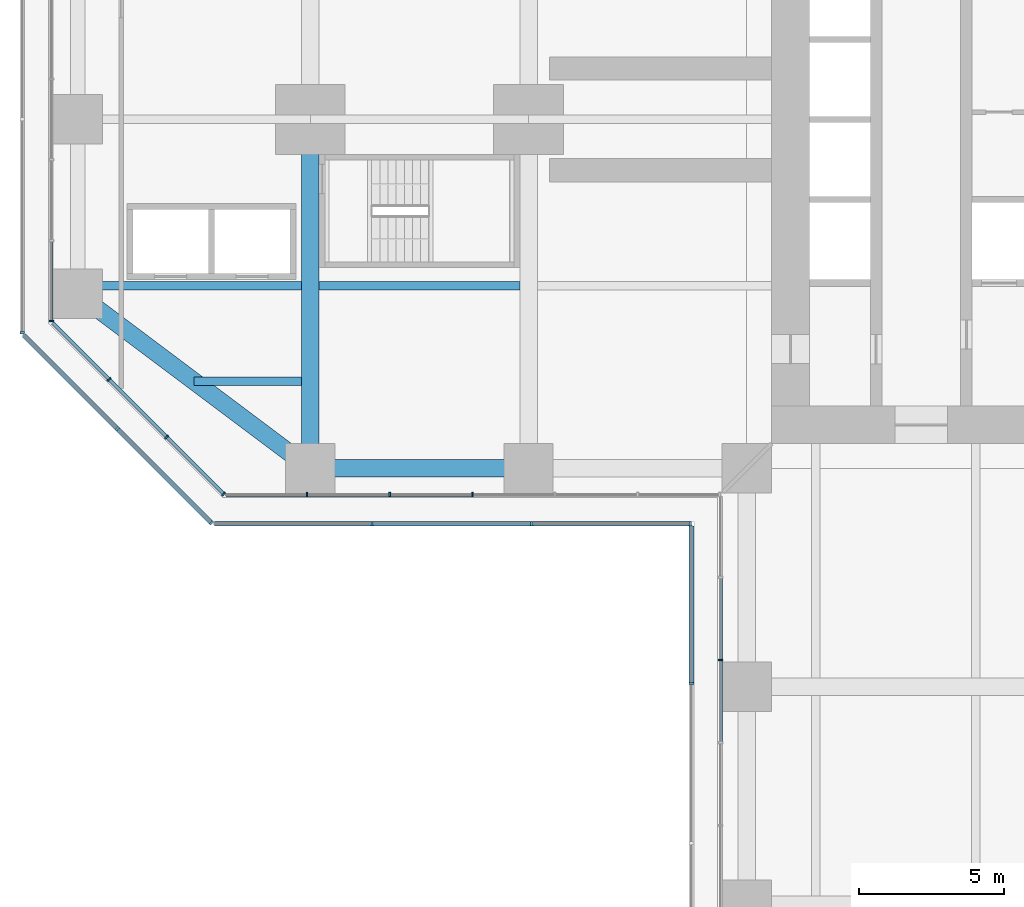
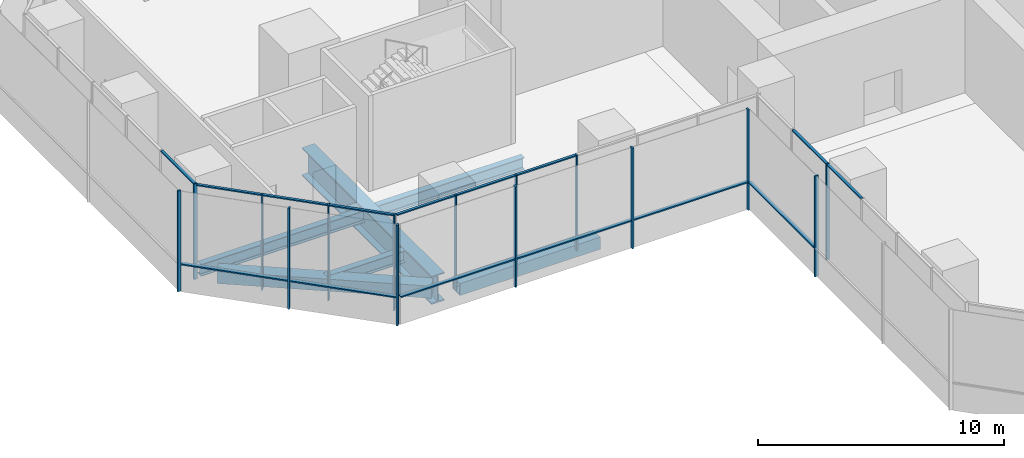
# One storey, part 3 of 23: 30 members, 6 beams, 8 elements without a shape of their own.
"""IFC4 building model written with IfcOpenShell, lengths in metres."""

from ifc_helpers import new_model, si_unit, direction, frame, origin, origin_2d, place, context, subcontext, project, spatial, rectangle, hollow_rectangle, i_section, extrude, material, material_profile, profile_set, type_object, element, aggregate, save


model = new_model("IFC4")

# Units and contexts
model_context = context("Model", 3, precision=1e-05, world=origin(), true_north=direction((0.0, 1.0)))
body_context = subcontext(model_context, "Body", "Model", "MODEL_VIEW")
ifc_project = project(units=[si_unit("LENGTHUNIT", "METRE"), si_unit("AREAUNIT", "SQUARE_METRE"), si_unit("VOLUMEUNIT", "CUBIC_METRE"), si_unit("PLANEANGLEUNIT", "RADIAN"), si_unit("MASSUNIT", "GRAM", prefix="KILO")], contexts=[model_context])

# Site, building, storey
site_placement = place(None, origin())
site = spatial("IfcSite", under=ifc_project, at=site_placement, CompositionType="ELEMENT")
building_placement = place(site_placement, origin())
building = spatial("IfcBuilding", under=site, at=building_placement, Name="Mizan Broadcast Tower", CompositionType="ELEMENT")
storey_placement = place(building_placement, frame((0.0, 0.0, 23.0)))
storey = spatial("IfcBuildingStorey", under=building, at=storey_placement, Name="L03", CompositionType="ELEMENT", Elevation=23.0)

# Beams
ifc_material_1 = material(Name="Steel S355", Category="steel")
ifc_material_profile_1 = material_profile(ifc_material_1, hollow_rectangle(XDim=0.60009765625, YDim=0.60009765625, WallThickness=0.030029296875, at=origin_2d()), Name="BOX 600x600x30")
ifc_profile_set_1 = profile_set([ifc_material_profile_1], Name="Steel S355")
beam_type_1 = type_object("IfcBeamType", Name="EDGE BEAM BOX 600x600x30", PredefinedType="SPANDREL", material=ifc_profile_set_1)
beam_1_placement = place(storey_placement, frame((-27.47998046875, -11.639892578125, -0.550048828125), z_axis=(-0.800013316712, 0.599982243973, 0.0), x_axis=(-0.599982243973, -0.800013316712, 0.0)))
element("IfcBeam", 1, at=beam_1_placement, inside=storey, type_object=beam_type_1, Name="Edge beam BOX 600x600x30 L03 west arm", PredefinedType="SPANDREL", context=body_context, shape_type="SweptSolid", body=[
    extrude(hollow_rectangle(XDim=0.60009765625, YDim=0.60009765625, WallThickness=0.030029296875, at=origin_2d()), origin(), (0.0, 0.0, 1.0), 8.7998046875),
])
ifc_material_2 = material(Name="Steel S355", Category="steel")
ifc_material_profile_2 = material_profile(ifc_material_2, hollow_rectangle(XDim=0.60009765625, YDim=0.60009765625, WallThickness=0.0400390625, at=origin_2d()), Name="BOX 600x600x40")
ifc_profile_set_2 = profile_set([ifc_material_profile_2], Name="Steel S355")
beam_type_2 = type_object("IfcBeamType", Name="EDGE BEAM BOX 600x600x40", PredefinedType="SPANDREL", material=ifc_profile_set_2)
beam_2_placement = place(storey_placement, frame((-19.949951171875, -12.0, -0.550048828125), z_axis=(-1.0, 0.0, 0.0), x_axis=(0.0, -1.0, 0.0)))
element("IfcBeam", 2, at=beam_2_placement, inside=storey, type_object=beam_type_2, Name="Edge beam BOX 600x600x40 L03 west arm", PredefinedType="SPANDREL", context=body_context, shape_type="SweptSolid", body=[
    extrude(hollow_rectangle(XDim=0.60009765625, YDim=0.60009765625, WallThickness=0.0400390625, at=origin_2d()), origin(), (0.0, 0.0, 1.0), 6.60009765625),
])
ifc_material_3 = material(Name="Steel S460", Category="steel")
ifc_material_profile_3 = material_profile(ifc_material_3, i_section(OverallWidth=0.60009765625, OverallDepth=1.39990234375, WebThickness=0.02490234375, FlangeThickness=0.06005859375, at=origin_2d()), Name="WPG 1400x600")
ifc_profile_set_3 = profile_set([ifc_material_profile_3], Name="Steel S460")
beam_type_3 = type_object("IfcBeamType", Name="GIRDER WPG 1400x600", PredefinedType="BEAM", material=ifc_profile_set_3)
beam_3_placement = place(storey_placement, frame((-27.0, -0.719970703125, -0.949951171875), z_axis=(0.0, -1.0, 0.0), x_axis=(1.0, 0.0, 0.0)))
element("IfcBeam", 3, at=beam_3_placement, inside=storey, type_object=beam_type_3, Name="Girder WPG 1400x600 L03 west arm", PredefinedType="BEAM", context=body_context, shape_type="SweptSolid", body=[
    extrude(i_section(OverallWidth=0.60009765625, OverallDepth=1.39990234375, WebThickness=0.02490234375, FlangeThickness=0.06005859375, at=origin_2d()), origin(), (0.0, 0.0, 1.0), 10.56005859375),
])

# Curtain wall, member
ifc_material_4 = material(Name="Aluminium framed glazing", Category="aluminium")
curtain_wall_type_1 = type_object("IfcCurtainWallType", Name="PODIUM CURTAIN WALL", PredefinedType="USERDEFINED", material=ifc_material_4)
curtain_wall_1_placement = place(storey_placement, origin())
curtain_wall_1 = element("IfcCurtainWall", 4, at=curtain_wall_1_placement, inside=storey, type_object=curtain_wall_type_1, Name="Podium curtain wall L03 W end", ObjectType="PODIUM CURTAIN WALL", PredefinedType="USERDEFINED")
ifc_material_5 = material(Name="Aluminium, pale anodised", Category="aluminium")
ifc_material_profile_4 = material_profile(ifc_material_5, rectangle(XDim=0.159912109375, YDim=0.06005859375, at=origin_2d()), Name="MULLION 160x60")
ifc_profile_set_4 = profile_set([ifc_material_profile_4], Name="Aluminium, pale anodised")
member_type_1 = type_object("IfcMemberType", Name="INNER SKIN MULLION 60x160", PredefinedType="MULLION", material=ifc_profile_set_4)
member_1_placement = place(storey_placement, frame((-35.89990234375, -6.928466796875, 0.0), z_axis=(0.0, 0.0, 1.0), x_axis=(1.0, 0.0, 0.0)))
member_1 = element("IfcMember", 5, at=member_1_placement, type_object=member_type_1, Name="Podium curtain wall L03 W end mullion 6", PredefinedType="MULLION", context=body_context, shape_type="SweptSolid", body=[
    extrude(rectangle(XDim=0.159912109375, YDim=0.06005859375, at=origin_2d()), origin(), (0.0, 0.0, 1.0), 4.75),
])

# Curtain wall, members
curtain_wall_2_placement = place(storey_placement, origin())
curtain_wall_2 = element("IfcCurtainWall", 6, at=curtain_wall_2_placement, inside=storey, type_object=curtain_wall_type_1, Name="Podium curtain wall L03 W chamfer", ObjectType="PODIUM CURTAIN WALL", PredefinedType="USERDEFINED")
member_2_placement = place(storey_placement, frame((-33.91943359375, -8.93896484375, 0.0), z_axis=(0.0, 0.0, 1.0), x_axis=(0.707106781187, 0.707106781187, 0.0)))
member_2 = element("IfcMember", 7, at=member_2_placement, type_object=member_type_1, Name="Podium curtain wall L03 W chamfer mullion 2", PredefinedType="MULLION", context=body_context, shape_type="SweptSolid", body=[
    extrude(rectangle(XDim=0.159912109375, YDim=0.06005859375, at=origin_2d()), origin(), (0.0, 0.0, 1.0), 4.75),
])
member_3_placement = place(storey_placement, frame((-31.93896484375, -10.91943359375, 0.0), z_axis=(0.0, 0.0, 1.0), x_axis=(0.707106781187, 0.707106781187, 0.0)))
member_3 = element("IfcMember", 8, at=member_3_placement, type_object=member_type_1, Name="Podium curtain wall L03 W chamfer mullion 3", PredefinedType="MULLION", context=body_context, shape_type="SweptSolid", body=[
    extrude(rectangle(XDim=0.159912109375, YDim=0.06005859375, at=origin_2d()), origin(), (0.0, 0.0, 1.0), 4.75),
])
member_4_placement = place(storey_placement, frame((-29.979736328125, -12.87890625, 0.0), z_axis=(0.0, 0.0, 1.0), x_axis=(0.707106781187, 0.707106781187, 0.0)))
member_4 = element("IfcMember", 9, at=member_4_placement, type_object=member_type_1, Name="Podium curtain wall L03 W chamfer mullion 4", PredefinedType="MULLION", context=body_context, shape_type="SweptSolid", body=[
    extrude(rectangle(XDim=0.159912109375, YDim=0.06005859375, at=origin_2d()), origin(), (0.0, 0.0, 1.0), 4.75),
])

curtain_wall_3_placement = place(storey_placement, origin())
curtain_wall_3 = element("IfcCurtainWall", 10, at=curtain_wall_3_placement, inside=storey, type_object=curtain_wall_type_1, Name="Podium curtain wall L03 W side", ObjectType="PODIUM CURTAIN WALL", PredefinedType="USERDEFINED")
member_5_placement = place(storey_placement, frame((-27.115478515625, -12.89990234375, 0.0), z_axis=(0.0, 0.0, 1.0), x_axis=(0.0, 1.0, 0.0)))
member_5 = element("IfcMember", 11, at=member_5_placement, type_object=member_type_1, Name="Podium curtain wall L03 W side mullion 2", PredefinedType="MULLION", context=body_context, shape_type="SweptSolid", body=[
    extrude(rectangle(XDim=0.159912109375, YDim=0.06005859375, at=origin_2d()), origin(), (0.0, 0.0, 1.0), 4.75),
])
member_6_placement = place(storey_placement, frame((-24.2724609375, -12.89990234375, 0.0), z_axis=(0.0, 0.0, 1.0), x_axis=(0.0, 1.0, 0.0)))
member_6 = element("IfcMember", 12, at=member_6_placement, type_object=member_type_1, Name="Podium curtain wall L03 W side mullion 3", PredefinedType="MULLION", context=body_context, shape_type="SweptSolid", body=[
    extrude(rectangle(XDim=0.159912109375, YDim=0.06005859375, at=origin_2d()), origin(), (0.0, 0.0, 1.0), 4.75),
])
member_7_placement = place(storey_placement, frame((-21.42919921875, -12.89990234375, 0.0), z_axis=(0.0, 0.0, 1.0), x_axis=(0.0, 1.0, 0.0)))
member_7 = element("IfcMember", 13, at=member_7_placement, type_object=member_type_1, Name="Podium curtain wall L03 W side mullion 4", PredefinedType="MULLION", context=body_context, shape_type="SweptSolid", body=[
    extrude(rectangle(XDim=0.159912109375, YDim=0.06005859375, at=origin_2d()), origin(), (0.0, 0.0, 1.0), 4.75),
])

# Curtain wall, member
curtain_wall_4_placement = place(storey_placement, origin())
curtain_wall_4 = element("IfcCurtainWall", 14, at=curtain_wall_4_placement, inside=storey, type_object=curtain_wall_type_1, Name="Podium curtain wall L03 S side", ObjectType="PODIUM CURTAIN WALL", PredefinedType="USERDEFINED")
member_8_placement = place(storey_placement, frame((-12.89990234375, -18.586181640625, 0.0), z_axis=(0.0, 0.0, 1.0), x_axis=(1.0, 0.0, 0.0)))
member_8 = element("IfcMember", 15, at=member_8_placement, type_object=member_type_1, Name="Podium curtain wall L03 S side mullion 3", PredefinedType="MULLION", context=body_context, shape_type="SweptSolid", body=[
    extrude(rectangle(XDim=0.159912109375, YDim=0.06005859375, at=origin_2d()), origin(), (0.0, 0.0, 1.0), 4.75),
])

# Member
ifc_material_6 = material(Name="Aluminium, pale anodised", Category="aluminium")
ifc_material_profile_5 = material_profile(ifc_material_6, rectangle(XDim=0.1201171875, YDim=0.06005859375, at=origin_2d()), Name="TRANSOM 120x60")
ifc_profile_set_5 = profile_set([ifc_material_profile_5], Name="Aluminium, pale anodised")
member_type_2 = type_object("IfcMemberType", Name="INNER SKIN TRANSOM 60x120", PredefinedType="USERDEFINED", material=ifc_profile_set_5)
member_9_placement = place(storey_placement, frame((-35.89990234375, -4.205078125, 4.719970703125), z_axis=(0.0, -1.0, 0.0), x_axis=(1.0, 0.0, 0.0)))
member_9 = element("IfcMember", 16, at=member_9_placement, type_object=member_type_2, Name="Podium curtain wall L03 W end transom 5.1", ObjectType="TRANSOM", PredefinedType="USERDEFINED", context=body_context, shape_type="SweptSolid", body=[
    extrude(rectangle(XDim=0.1201171875, YDim=0.06005859375, at=origin_2d()), origin(), (0.0, 0.0, 1.0), 2.693603515625),
])

aggregate(curtain_wall_1, [member_1, member_9])

member_10_placement = place(storey_placement, frame((-35.857666015625, -7.0009765625, 4.719970703125), z_axis=(0.707151809797, -0.707061749709, 0.0), x_axis=(0.707061749709, 0.707151809797, 0.0)))
member_10 = element("IfcMember", 17, at=member_10_placement, type_object=member_type_2, Name="Podium curtain wall L03 W chamfer transom 1.1", ObjectType="TRANSOM", PredefinedType="USERDEFINED", context=body_context, shape_type="SweptSolid", body=[
    extrude(rectangle(XDim=0.1201171875, YDim=0.06005859375, at=origin_2d()), origin(), (0.0, 0.0, 1.0), 2.7109375),
])

member_11_placement = place(storey_placement, frame((-33.898193359375, -8.960205078125, 4.719970703125), z_axis=(0.707106781187, -0.707106781187, 0.0), x_axis=(0.707106781187, 0.707106781187, 0.0)))
member_11 = element("IfcMember", 18, at=member_11_placement, type_object=member_type_2, Name="Podium curtain wall L03 W chamfer transom 2.1", ObjectType="TRANSOM", PredefinedType="USERDEFINED", context=body_context, shape_type="SweptSolid", body=[
    extrude(rectangle(XDim=0.1201171875, YDim=0.06005859375, at=origin_2d()), origin(), (0.0, 0.0, 1.0), 2.74072265625),
])

member_12_placement = place(storey_placement, frame((-31.917724609375, -10.940673828125, 4.719970703125), z_axis=(0.707061749709, -0.707151809797, 0.0), x_axis=(0.707151809797, 0.707061749709, 0.0)))
member_12 = element("IfcMember", 19, at=member_12_placement, type_object=member_type_2, Name="Podium curtain wall L03 W chamfer transom 3.1", ObjectType="TRANSOM", PredefinedType="USERDEFINED", context=body_context, shape_type="SweptSolid", body=[
    extrude(rectangle(XDim=0.1201171875, YDim=0.06005859375, at=origin_2d()), origin(), (0.0, 0.0, 1.0), 2.7109375),
])

aggregate(curtain_wall_2, [member_2, member_3, member_4, member_10, member_11, member_12])

member_13_placement = place(storey_placement, frame((-29.898681640625, -12.89990234375, 4.719970703125), z_axis=(1.0, 0.0, 0.0), x_axis=(0.0, 1.0, 0.0)))
member_13 = element("IfcMember", 20, at=member_13_placement, type_object=member_type_2, Name="Podium curtain wall L03 W side transom 1.1", ObjectType="TRANSOM", PredefinedType="USERDEFINED", context=body_context, shape_type="SweptSolid", body=[
    extrude(rectangle(XDim=0.1201171875, YDim=0.06005859375, at=origin_2d()), origin(), (0.0, 0.0, 1.0), 2.753173828125),
])

member_14_placement = place(storey_placement, frame((-27.08544921875, -12.89990234375, 4.719970703125), z_axis=(1.0, 0.0, 0.0), x_axis=(0.0, 1.0, 0.0)))
member_14 = element("IfcMember", 21, at=member_14_placement, type_object=member_type_2, Name="Podium curtain wall L03 W side transom 2.1", ObjectType="TRANSOM", PredefinedType="USERDEFINED", context=body_context, shape_type="SweptSolid", body=[
    extrude(rectangle(XDim=0.1201171875, YDim=0.06005859375, at=origin_2d()), origin(), (0.0, 0.0, 1.0), 2.782958984375),
])

member_15_placement = place(storey_placement, frame((-24.242431640625, -12.89990234375, 4.719970703125), z_axis=(1.0, 0.0, 0.0), x_axis=(0.0, 1.0, 0.0)))
member_15 = element("IfcMember", 22, at=member_15_placement, type_object=member_type_2, Name="Podium curtain wall L03 W side transom 3.1", ObjectType="TRANSOM", PredefinedType="USERDEFINED", context=body_context, shape_type="SweptSolid", body=[
    extrude(rectangle(XDim=0.1201171875, YDim=0.06005859375, at=origin_2d()), origin(), (0.0, 0.0, 1.0), 2.783203125),
])

aggregate(curtain_wall_3, [member_5, member_6, member_7, member_13, member_14, member_15])

member_16_placement = place(storey_placement, frame((-12.89990234375, -15.773193359375, 4.719970703125), z_axis=(0.0, -1.0, 0.0), x_axis=(1.0, 0.0, 0.0)))
member_16 = element("IfcMember", 23, at=member_16_placement, type_object=member_type_2, Name="Podium curtain wall L03 S side transom 2.1", ObjectType="TRANSOM", PredefinedType="USERDEFINED", context=body_context, shape_type="SweptSolid", body=[
    extrude(rectangle(XDim=0.1201171875, YDim=0.06005859375, at=origin_2d()), origin(), (0.0, 0.0, 1.0), 2.782958984375),
])

member_17_placement = place(storey_placement, frame((-12.89990234375, -18.6162109375, 4.719970703125), z_axis=(0.0, -1.0, 0.0), x_axis=(1.0, 0.0, 0.0)))
member_17 = element("IfcMember", 24, at=member_17_placement, type_object=member_type_2, Name="Podium curtain wall L03 S side transom 3.1", ObjectType="TRANSOM", PredefinedType="USERDEFINED", context=body_context, shape_type="SweptSolid", body=[
    extrude(rectangle(XDim=0.1201171875, YDim=0.06005859375, at=origin_2d()), origin(), (0.0, 0.0, 1.0), 2.782958984375),
])

aggregate(curtain_wall_4, [member_8, member_16, member_17])

# Curtain wall, member
ifc_material_7 = material(Name="Aluminium framed glazing", Category="aluminium")
curtain_wall_type_2 = type_object("IfcCurtainWallType", Name="OUTER SKIN", PredefinedType="USERDEFINED", material=ifc_material_7)
curtain_wall_5_placement = place(storey_placement, origin())
curtain_wall_5 = element("IfcCurtainWall", 25, at=curtain_wall_5_placement, inside=storey, type_object=curtain_wall_type_2, Name="Outer skin L03 W end", ObjectType="OUTER SKIN", PredefinedType="USERDEFINED")
ifc_material_8 = material(Name="Aluminium, pale anodised", Category="aluminium")
ifc_material_profile_6 = material_profile(ifc_material_8, rectangle(XDim=0.159912109375, YDim=0.080078125, at=origin_2d()), Name="MULLION 160x80")
ifc_profile_set_6 = profile_set([ifc_material_profile_6], Name="Aluminium, pale anodised")
member_type_3 = type_object("IfcMemberType", Name="OUTER SKIN MULLION 80x160", PredefinedType="MULLION", material=ifc_profile_set_6)
member_18_placement = place(storey_placement, frame((-36.89990234375, -7.332763671875, 0.0), z_axis=(0.0, 0.0, 1.0), x_axis=(1.0, 0.0, 0.0)))
member_18 = element("IfcMember", 26, at=member_18_placement, type_object=member_type_3, Name="Outer skin L03 W end mullion 3", PredefinedType="MULLION", context=body_context, shape_type="SweptSolid", body=[
    extrude(rectangle(XDim=0.159912109375, YDim=0.080078125, at=origin_2d()), origin(), (0.0, 0.0, 1.0), 5.0),
])
aggregate(curtain_wall_5, [member_18])

# Curtain wall, members
curtain_wall_6_placement = place(storey_placement, origin())
curtain_wall_6 = element("IfcCurtainWall", 27, at=curtain_wall_6_placement, inside=storey, type_object=curtain_wall_type_2, Name="Outer skin L03 W chamfer", ObjectType="OUTER SKIN", PredefinedType="USERDEFINED")
member_19_placement = place(storey_placement, frame((-33.636474609375, -10.636474609375, 0.0), z_axis=(0.0, 0.0, 1.0), x_axis=(0.707106781187, 0.707106781187, 0.0)))
member_19 = element("IfcMember", 28, at=member_19_placement, type_object=member_type_3, Name="Outer skin L03 W chamfer mullion 2", PredefinedType="MULLION", context=body_context, shape_type="SweptSolid", body=[
    extrude(rectangle(XDim=0.159912109375, YDim=0.080078125, at=origin_2d()), origin(), (0.0, 0.0, 1.0), 5.0),
])
member_20_placement = place(storey_placement, frame((-30.401123046875, -13.871826171875, 0.0), z_axis=(0.0, 0.0, 1.0), x_axis=(0.707106781187, 0.707106781187, 0.0)))
member_20 = element("IfcMember", 29, at=member_20_placement, type_object=member_type_3, Name="Outer skin L03 W chamfer mullion 3", PredefinedType="MULLION", context=body_context, shape_type="SweptSolid", body=[
    extrude(rectangle(XDim=0.159912109375, YDim=0.080078125, at=origin_2d()), origin(), (0.0, 0.0, 1.0), 5.0),
])

curtain_wall_7_placement = place(storey_placement, origin())
curtain_wall_7 = element("IfcCurtainWall", 30, at=curtain_wall_7_placement, inside=storey, type_object=curtain_wall_type_2, Name="Outer skin L03 W side", ObjectType="OUTER SKIN", PredefinedType="USERDEFINED")
member_21_placement = place(storey_placement, frame((-24.8818359375, -13.89990234375, 0.0), z_axis=(0.0, 0.0, 1.0), x_axis=(0.0, 1.0, 0.0)))
member_21 = element("IfcMember", 31, at=member_21_placement, type_object=member_type_3, Name="Outer skin L03 W side mullion 2", PredefinedType="MULLION", context=body_context, shape_type="SweptSolid", body=[
    extrude(rectangle(XDim=0.159912109375, YDim=0.080078125, at=origin_2d()), origin(), (0.0, 0.0, 1.0), 5.0),
])
member_22_placement = place(storey_placement, frame((-19.390869140625, -13.89990234375, 0.0), z_axis=(0.0, 0.0, 1.0), x_axis=(0.0, 1.0, 0.0)))
member_22 = element("IfcMember", 32, at=member_22_placement, type_object=member_type_3, Name="Outer skin L03 W side mullion 3", PredefinedType="MULLION", context=body_context, shape_type="SweptSolid", body=[
    extrude(rectangle(XDim=0.159912109375, YDim=0.080078125, at=origin_2d()), origin(), (0.0, 0.0, 1.0), 5.0),
])
member_23_placement = place(storey_placement, frame((-13.93994140625, -13.89990234375, 0.0), z_axis=(0.0, 0.0, 1.0), x_axis=(0.0, 1.0, 0.0)))
member_23 = element("IfcMember", 33, at=member_23_placement, type_object=member_type_3, Name="Outer skin L03 W side mullion 4", PredefinedType="MULLION", context=body_context, shape_type="SweptSolid", body=[
    extrude(rectangle(XDim=0.159912109375, YDim=0.080078125, at=origin_2d()), origin(), (0.0, 0.0, 1.0), 5.0),
])

# Curtain wall, member
curtain_wall_8_placement = place(storey_placement, origin())
curtain_wall_8 = element("IfcCurtainWall", 34, at=curtain_wall_8_placement, inside=storey, type_object=curtain_wall_type_2, Name="Outer skin L03 S side", ObjectType="OUTER SKIN", PredefinedType="USERDEFINED")
member_24_placement = place(storey_placement, frame((-13.89990234375, -19.390869140625, 0.0), z_axis=(0.0, 0.0, 1.0), x_axis=(1.0, 0.0, 0.0)))
member_24 = element("IfcMember", 35, at=member_24_placement, type_object=member_type_3, Name="Outer skin L03 S side mullion 2", PredefinedType="MULLION", context=body_context, shape_type="SweptSolid", body=[
    extrude(rectangle(XDim=0.159912109375, YDim=0.080078125, at=origin_2d()), origin(), (0.0, 0.0, 1.0), 5.0),
])

# Member
ifc_material_9 = material(Name="Aluminium, pale anodised", Category="aluminium")
ifc_material_profile_7 = material_profile(ifc_material_9, rectangle(XDim=0.159912109375, YDim=0.06005859375, at=origin_2d()), Name="TRANSOM 160x60")
ifc_profile_set_7 = profile_set([ifc_material_profile_7], Name="Aluminium, pale anodised")
member_type_4 = type_object("IfcMemberType", Name="OUTER SKIN TRANSOM 60x160", PredefinedType="USERDEFINED", material=ifc_profile_set_7)
member_25_placement = place(storey_placement, frame((-36.843505859375, -7.429443359375, 1.39990234375), z_axis=(0.707106781187, -0.707106781187, 0.0), x_axis=(0.707106781187, 0.707106781187, 0.0)))
member_25 = element("IfcMember", 36, at=member_25_placement, type_object=member_type_4, Name="Outer skin L03 W chamfer transom 1.1", ObjectType="TRANSOM", PredefinedType="USERDEFINED", context=body_context, shape_type="SweptSolid", body=[
    extrude(rectangle(XDim=0.159912109375, YDim=0.06005859375, at=origin_2d()), origin(), (0.0, 0.0, 1.0), 4.495361328125),
])

member_26_placement = place(storey_placement, frame((-33.608154296875, -10.664794921875, 1.39990234375), z_axis=(0.707106781187, -0.707106781187, 0.0), x_axis=(0.707106781187, 0.707106781187, 0.0)))
member_26 = element("IfcMember", 37, at=member_26_placement, type_object=member_type_4, Name="Outer skin L03 W chamfer transom 2.1", ObjectType="TRANSOM", PredefinedType="USERDEFINED", context=body_context, shape_type="SweptSolid", body=[
    extrude(rectangle(XDim=0.159912109375, YDim=0.06005859375, at=origin_2d()), origin(), (0.0, 0.0, 1.0), 4.495361328125),
])

aggregate(curtain_wall_6, [member_19, member_20, member_25, member_26])

member_27_placement = place(storey_placement, frame((-30.292724609375, -13.89990234375, 1.39990234375), z_axis=(1.0, 0.0, 0.0), x_axis=(0.0, 1.0, 0.0)))
member_27 = element("IfcMember", 38, at=member_27_placement, type_object=member_type_4, Name="Outer skin L03 W side transom 1.1", ObjectType="TRANSOM", PredefinedType="USERDEFINED", context=body_context, shape_type="SweptSolid", body=[
    extrude(rectangle(XDim=0.159912109375, YDim=0.06005859375, at=origin_2d()), origin(), (0.0, 0.0, 1.0), 5.370849609375),
])

member_28_placement = place(storey_placement, frame((-24.841796875, -13.89990234375, 1.39990234375), z_axis=(1.0, 0.0, 0.0), x_axis=(0.0, 1.0, 0.0)))
member_28 = element("IfcMember", 39, at=member_28_placement, type_object=member_type_4, Name="Outer skin L03 W side transom 2.1", ObjectType="TRANSOM", PredefinedType="USERDEFINED", context=body_context, shape_type="SweptSolid", body=[
    extrude(rectangle(XDim=0.159912109375, YDim=0.06005859375, at=origin_2d()), origin(), (0.0, 0.0, 1.0), 5.410888671875),
])

member_29_placement = place(storey_placement, frame((-19.350830078125, -13.89990234375, 1.39990234375), z_axis=(1.0, 0.0, 0.0), x_axis=(0.0, 1.0, 0.0)))
member_29 = element("IfcMember", 40, at=member_29_placement, type_object=member_type_4, Name="Outer skin L03 W side transom 3.1", ObjectType="TRANSOM", PredefinedType="USERDEFINED", context=body_context, shape_type="SweptSolid", body=[
    extrude(rectangle(XDim=0.159912109375, YDim=0.06005859375, at=origin_2d()), origin(), (0.0, 0.0, 1.0), 5.370849609375),
])

aggregate(curtain_wall_7, [member_21, member_22, member_23, member_27, member_28, member_29])

member_30_placement = place(storey_placement, frame((-13.89990234375, -13.97998046875, 1.39990234375), z_axis=(0.0, -1.0, 0.0), x_axis=(1.0, 0.0, 0.0)))
member_30 = element("IfcMember", 41, at=member_30_placement, type_object=member_type_4, Name="Outer skin L03 S side transom 1.1", ObjectType="TRANSOM", PredefinedType="USERDEFINED", context=body_context, shape_type="SweptSolid", body=[
    extrude(rectangle(XDim=0.159912109375, YDim=0.06005859375, at=origin_2d()), origin(), (0.0, 0.0, 1.0), 5.370849609375),
])

aggregate(curtain_wall_8, [member_24, member_30])

# Beams
ifc_material_10 = material(Name="Steel S355", Category="steel")
ifc_material_profile_8 = material_profile(ifc_material_10, i_section(OverallWidth=0.300048828125, OverallDepth=0.590087890625, WebThickness=0.012939453125, FlangeThickness=0.02490234375, FilletRadius=0.027099609375, at=origin_2d()), Name="HEA 600")
ifc_profile_set_8 = profile_set([ifc_material_profile_8], Name="Steel S355")
beam_type_4 = type_object("IfcBeamType", Name="SECONDARY BEAM HEA 600", PredefinedType="JOIST", material=ifc_profile_set_8)
beam_4_placement = place(storey_placement, frame((-19.800048828125, -5.71435546875, -0.544921875), z_axis=(-1.0, 0.0, 0.0), x_axis=(0.0, -1.0, 0.0)))
element("IfcBeam", 42, at=beam_4_placement, inside=storey, type_object=beam_type_4, Name="Secondary beam HEA 600 L03 west arm", PredefinedType="JOIST", context=body_context, shape_type="SweptSolid", body=[
    extrude(i_section(OverallWidth=0.300048828125, OverallDepth=0.590087890625, WebThickness=0.012939453125, FlangeThickness=0.02490234375, FilletRadius=0.027099609375, at=origin_2d()), origin(), (0.0, 0.0, 1.0), 6.89990234375),
])
beam_5_placement = place(storey_placement, frame((-27.300048828125, -5.71435546875, -0.544921875), z_axis=(-1.0, 0.0, 0.0), x_axis=(0.0, -1.0, 0.0)))
element("IfcBeam", 43, at=beam_5_placement, inside=storey, type_object=beam_type_4, Name="Secondary beam HEA 600 L03 west arm", PredefinedType="JOIST", context=body_context, shape_type="SweptSolid", body=[
    extrude(i_section(OverallWidth=0.300048828125, OverallDepth=0.590087890625, WebThickness=0.012939453125, FlangeThickness=0.02490234375, FilletRadius=0.027099609375, at=origin_2d()), origin(), (0.0, 0.0, 1.0), 7.699951171875),
])
beam_6_placement = place(storey_placement, frame((-27.300048828125, -9.0, -0.544921875), z_axis=(-1.0, 0.0, 0.0), x_axis=(0.0, -1.0, 0.0)))
element("IfcBeam", 44, at=beam_6_placement, inside=storey, type_object=beam_type_4, Name="Secondary beam HEA 600 L03 west arm", PredefinedType="JOIST", context=body_context, shape_type="SweptSolid", body=[
    extrude(i_section(OverallWidth=0.300048828125, OverallDepth=0.590087890625, WebThickness=0.012939453125, FlangeThickness=0.02490234375, FilletRadius=0.027099609375, at=origin_2d()), origin(), (0.0, 0.0, 1.0), 3.699951171875),
])

save(model, "model.ifc")
